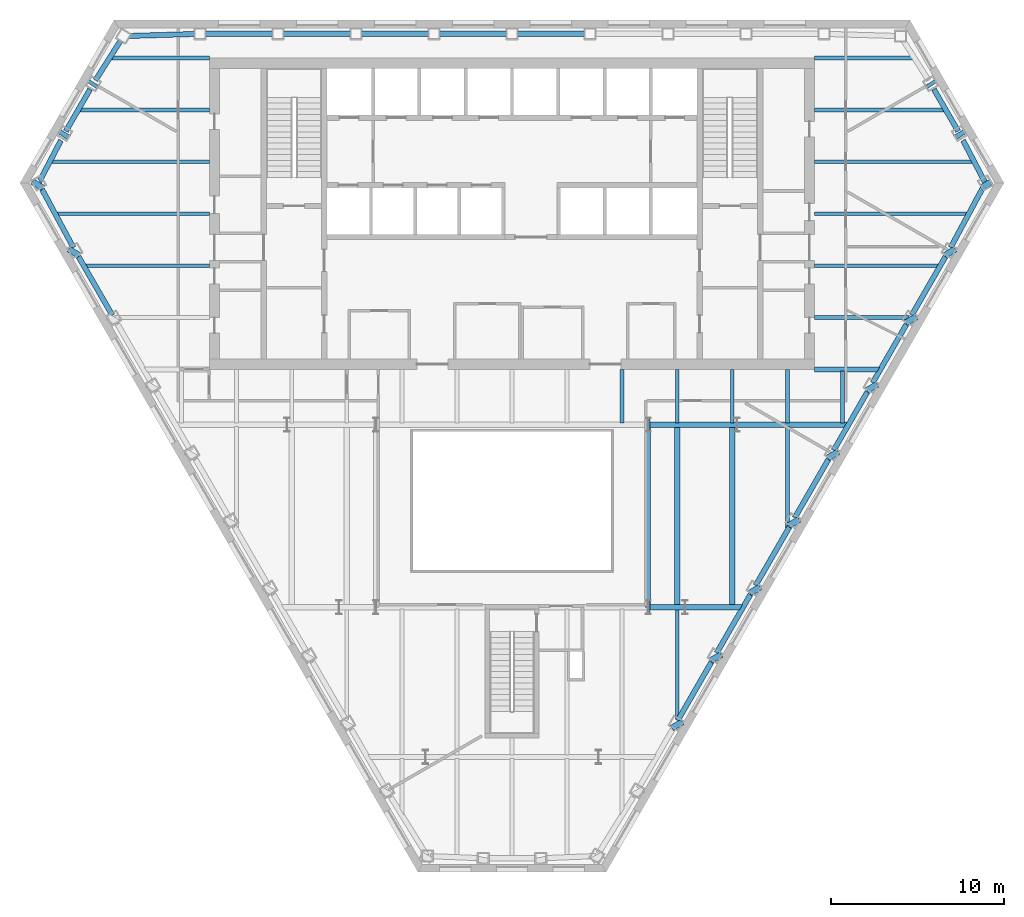
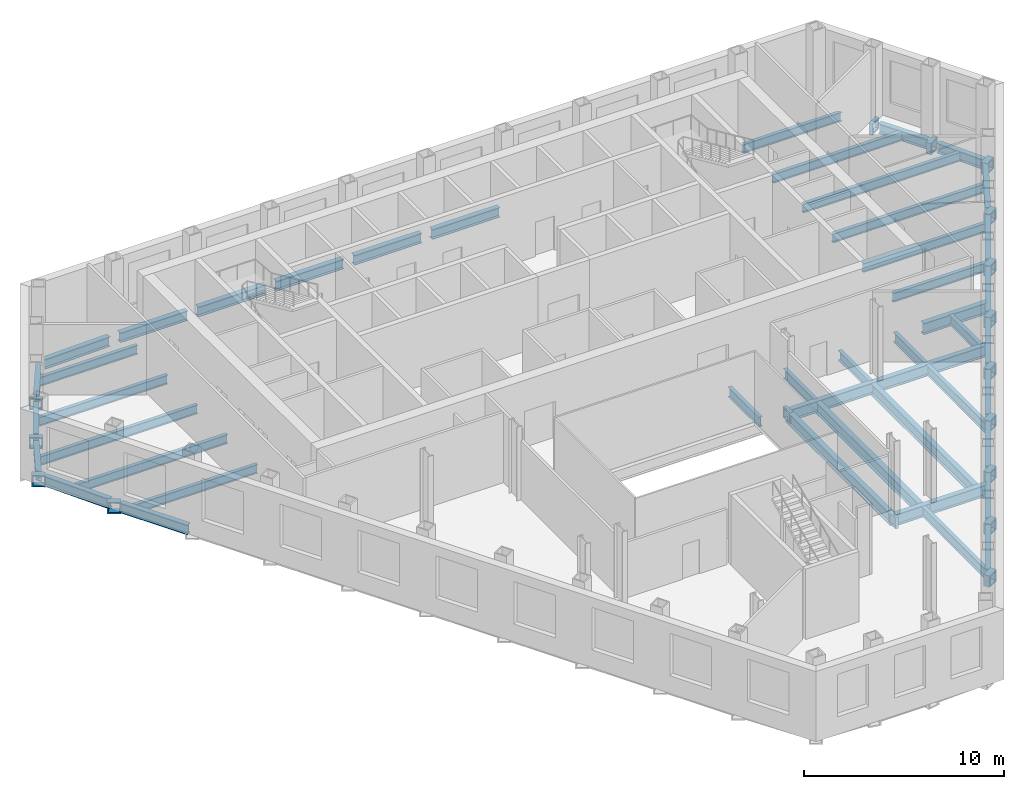
# One storey, part 3 of 11: 64 beams.
"""IFC4 building model written with IfcOpenShell, lengths in metres."""

from ifc_helpers import new_model, si_unit, direction, frame, origin, origin_2d, place, context, subcontext, project, spatial, hollow_rectangle, i_section, extrude, clip, halfspace, material, material_profile, profile_set, type_object, element, save


model = new_model("IFC4")

# Units and contexts
model_context = context("Model", 3, precision=1e-05, world=origin(), true_north=direction((0.0, 1.0)))
body_context = subcontext(model_context, "Body", "Model", "MODEL_VIEW")
ifc_project = project(units=[si_unit("LENGTHUNIT", "METRE"), si_unit("AREAUNIT", "SQUARE_METRE"), si_unit("VOLUMEUNIT", "CUBIC_METRE"), si_unit("PLANEANGLEUNIT", "RADIAN"), si_unit("MASSUNIT", "GRAM", prefix="KILO")], contexts=[model_context])

# Site, building, storey
site_placement = place(None, origin())
site = spatial("IfcSite", under=ifc_project, at=site_placement, CompositionType="ELEMENT")
building_placement = place(site_placement, origin())
building = spatial("IfcBuilding", under=site, at=building_placement, Name="Njiva Tower", CompositionType="ELEMENT")
storey_placement = place(building_placement, frame((0.0, 0.0, 69.3)))
storey = spatial("IfcBuildingStorey", under=building, at=storey_placement, Name="L14", CompositionType="ELEMENT", Elevation=69.3)

# Beams
ifc_material = material(Name="Steel S355 J2", Category="steel")
ifc_material_profile_1 = material_profile(ifc_material, i_section(OverallWidth=0.21, OverallDepth=0.55, WebThickness=0.0111, FlangeThickness=0.0172, at=origin_2d()), Name="IPE 550")
ifc_profile_set_1 = profile_set([ifc_material_profile_1], Name="Steel S355 J2")
beam_type_1 = type_object("IfcBeamType", Name="B10 Floor beam to the core IPE 550", PredefinedType="BEAM", material=ifc_profile_set_1)
beam_1_placement = place(storey_placement, frame((17.5, 3.0, -0.475), z_axis=(1.0, 0.0, 0.0), x_axis=(0.0, 1.0, 0.0)))
element("IfcBeam", 1, at=beam_1_placement, inside=storey, type_object=beam_type_1, Name="Floor beam to the core S05-B009", PredefinedType="BEAM", context=body_context, shape_type="Clipping", body=[
    clip(extrude(i_section(OverallWidth=0.21, OverallDepth=0.55, WebThickness=0.0111, FlangeThickness=0.0172, at=origin_2d()), origin(), (0.0, 0.0, 1.0), 5.496), halfspace(frame((-0.025, 0.0, 5.4005), z_axis=(-0.499998009787, 0.0, 0.866026552831), x_axis=(0.0, 1.0, 0.0)), False)),
])
beam_2_placement = place(storey_placement, frame((-24.723, 6.0, -0.475), z_axis=(1.0, 0.0, 0.0), x_axis=(0.0, 1.0, 0.0)))
element("IfcBeam", 2, at=beam_2_placement, inside=storey, type_object=beam_type_1, Name="Floor beam to the core S05-B004", PredefinedType="BEAM", context=body_context, shape_type="Clipping", body=[
    clip(extrude(i_section(OverallWidth=0.21, OverallDepth=0.55, WebThickness=0.0111, FlangeThickness=0.0172, at=origin_2d()), origin(), (0.0, 0.0, 1.0), 7.223), halfspace(frame((-0.025, 0.0, 0.095), z_axis=(-0.499998009787, 0.0, -0.866026552831), x_axis=(0.0, -1.0, 0.0)), False)),
])
beam_3_placement = place(storey_placement, frame((17.5, 6.0, -0.475), z_axis=(1.0, 0.0, 0.0), x_axis=(0.0, 1.0, 0.0)))
element("IfcBeam", 3, at=beam_3_placement, inside=storey, type_object=beam_type_1, Name="Floor beam to the core S05-B010", PredefinedType="BEAM", context=body_context, shape_type="Clipping", body=[
    clip(extrude(i_section(OverallWidth=0.21, OverallDepth=0.55, WebThickness=0.0111, FlangeThickness=0.0172, at=origin_2d()), origin(), (0.0, 0.0, 1.0), 7.223), halfspace(frame((-0.025, 0.0, 7.128), z_axis=(-0.499998009787, 0.0, 0.866026552831), x_axis=(0.0, 1.0, 0.0)), False)),
])
beam_4_placement = place(storey_placement, frame((-26.369, 9.0, -0.475), z_axis=(1.0, 0.0, 0.0), x_axis=(0.0, 1.0, 0.0)))
element("IfcBeam", 4, at=beam_4_placement, inside=storey, type_object=beam_type_1, Name="Floor beam to the core S05-B002", PredefinedType="BEAM", context=body_context, shape_type="Clipping", body=[
    clip(extrude(i_section(OverallWidth=0.21, OverallDepth=0.55, WebThickness=0.0111, FlangeThickness=0.0172, at=origin_2d()), origin(), (0.0, 0.0, 1.0), 8.869), halfspace(frame((-0.0237, 0.0, 0.0891), z_axis=(-0.473769423091, 0.0, -0.880648927634), x_axis=(0.0, -1.0, 0.0)), False)),
])
beam_5_placement = place(storey_placement, frame((17.5, 9.0, -0.475), z_axis=(1.0, 0.0, 0.0), x_axis=(0.0, 1.0, 0.0)))
element("IfcBeam", 5, at=beam_5_placement, inside=storey, type_object=beam_type_1, Name="Floor beam to the core S05-B011", PredefinedType="BEAM", context=body_context, shape_type="Clipping", body=[
    clip(extrude(i_section(OverallWidth=0.21, OverallDepth=0.55, WebThickness=0.0111, FlangeThickness=0.0172, at=origin_2d()), origin(), (0.0, 0.0, 1.0), 8.869), halfspace(frame((-0.0237, 0.0, 8.7799), z_axis=(-0.473769423091, 0.0, 0.880648927634), x_axis=(0.0, 1.0, 0.0)), False)),
])
beam_6_placement = place(storey_placement, frame((-26.684, 12.0, -0.475), z_axis=(1.0, 0.0, 0.0), x_axis=(0.0, 1.0, 0.0)))
element("IfcBeam", 6, at=beam_6_placement, inside=storey, type_object=beam_type_1, Name="Floor beam to the core S05-B001", PredefinedType="BEAM", context=body_context, shape_type="Clipping", body=[
    clip(extrude(i_section(OverallWidth=0.21, OverallDepth=0.55, WebThickness=0.0111, FlangeThickness=0.0172, at=origin_2d()), origin(), (0.0, 0.0, 1.0), 9.184), halfspace(frame((0.0232, 0.0, 0.0869), z_axis=(0.464049591961, 0.0, -0.885809221108), x_axis=(0.0, -1.0, 0.0)), False)),
])
beam_7_placement = place(storey_placement, frame((17.5, 12.0, -0.475), z_axis=(1.0, 0.0, 0.0), x_axis=(0.0, 1.0, 0.0)))
element("IfcBeam", 7, at=beam_7_placement, inside=storey, type_object=beam_type_1, Name="Floor beam to the core S05-B012", PredefinedType="BEAM", context=body_context, shape_type="Clipping", body=[
    clip(extrude(i_section(OverallWidth=0.21, OverallDepth=0.55, WebThickness=0.0111, FlangeThickness=0.0172, at=origin_2d()), origin(), (0.0, 0.0, 1.0), 9.184), halfspace(frame((0.0232, 0.0, 9.0971), z_axis=(0.464049591961, 0.0, 0.885809221108), x_axis=(0.0, 1.0, 0.0)), False)),
])
beam_8_placement = place(storey_placement, frame((-25.044, 15.0, -0.475), z_axis=(1.0, 0.0, 0.0), x_axis=(0.0, 1.0, 0.0)))
element("IfcBeam", 8, at=beam_8_placement, inside=storey, type_object=beam_type_1, Name="Floor beam to the core S05-B003", PredefinedType="BEAM", context=body_context, shape_type="Clipping", body=[
    clip(extrude(i_section(OverallWidth=0.21, OverallDepth=0.55, WebThickness=0.0111, FlangeThickness=0.0172, at=origin_2d()), origin(), (0.0, 0.0, 1.0), 7.544), halfspace(frame((0.025, 0.0, 0.0954), z_axis=(0.499998009787, 0.0, -0.866026552831), x_axis=(0.0, -1.0, 0.0)), False)),
])
beam_9_placement = place(storey_placement, frame((17.5, 15.0, -0.475), z_axis=(1.0, 0.0, 0.0), x_axis=(0.0, 1.0, 0.0)))
element("IfcBeam", 9, at=beam_9_placement, inside=storey, type_object=beam_type_1, Name="Floor beam to the core S05-B013", PredefinedType="BEAM", context=body_context, shape_type="Clipping", body=[
    clip(extrude(i_section(OverallWidth=0.21, OverallDepth=0.55, WebThickness=0.0111, FlangeThickness=0.0172, at=origin_2d()), origin(), (0.0, 0.0, 1.0), 7.544), halfspace(frame((0.025, 0.0, 7.4486), z_axis=(0.499998009787, 0.0, 0.866026552831), x_axis=(0.0, 1.0, 0.0)), False)),
])
beam_10_placement = place(storey_placement, frame((-23.232, 18.0, -0.475), z_axis=(1.0, 0.0, 0.0), x_axis=(0.0, 1.0, 0.0)))
element("IfcBeam", 10, at=beam_10_placement, inside=storey, type_object=beam_type_1, Name="Floor beam to the core S05-B005", PredefinedType="BEAM", context=body_context, shape_type="Clipping", body=[
    clip(extrude(i_section(OverallWidth=0.21, OverallDepth=0.55, WebThickness=0.0111, FlangeThickness=0.0172, at=origin_2d()), origin(), (0.0, 0.0, 1.0), 5.732), halfspace(frame((0.0268, 0.0, 0.1036), z_axis=(0.535111080792, 0.0, -0.84478170625), x_axis=(0.0, -1.0, 0.0)), False)),
])
beam_11_placement = place(storey_placement, frame((17.5, 18.0, -0.475), z_axis=(1.0, 0.0, 0.0), x_axis=(0.0, 1.0, 0.0)))
element("IfcBeam", 11, at=beam_11_placement, inside=storey, type_object=beam_type_1, Name="Floor beam to the core S05-B014", PredefinedType="BEAM", context=body_context, shape_type="Clipping", body=[
    clip(extrude(i_section(OverallWidth=0.21, OverallDepth=0.55, WebThickness=0.0111, FlangeThickness=0.0172, at=origin_2d()), origin(), (0.0, 0.0, 1.0), 5.732), halfspace(frame((0.0268, 0.0, 5.6284), z_axis=(0.535111080792, 0.0, 0.84478170625), x_axis=(0.0, 1.0, 0.0)), False)),
])
ifc_material_profile_2 = material_profile(ifc_material, i_section(OverallWidth=0.3, OverallDepth=0.69, WebThickness=0.0145, FlangeThickness=0.027, at=origin_2d()), Name="HEA 700")
ifc_profile_set_2 = profile_set([ifc_material_profile_2], Name="Steel S355 J2")
beam_type_2 = type_object("IfcBeamType", Name="B12 Long-span floor joist HEA 700", PredefinedType="JOIST", material=ifc_profile_set_2)
for number, where, z_axis, x_axis, name in (
    (12, (9.55, -3.3, -0.545), (0.0, -1.0, 0.0), (1.0, 0.0, 0.0), "Long-span floor joist S05-B086"),
    (13, (12.733, -3.3, -0.545), (0.0, -1.0, 0.0), (1.0, 0.0, 0.0), "Long-span floor joist S05-B088"),
):
    element("IfcBeam", number, at=place(storey_placement, frame(where, z_axis=z_axis, x_axis=x_axis)), inside=storey, type_object=beam_type_2, Name=name, PredefinedType="JOIST", context=body_context, shape_type="SweptSolid", body=[
        extrude(i_section(OverallWidth=0.3, OverallDepth=0.69, WebThickness=0.0145, FlangeThickness=0.027, at=origin_2d()), origin(), (0.0, 0.0, 1.0), 10.35),
    ])
ifc_material_profile_3 = material_profile(ifc_material, i_section(OverallWidth=0.22, OverallDepth=0.6, WebThickness=0.012, FlangeThickness=0.019, at=origin_2d()), Name="IPE 600")
ifc_profile_set_3 = profile_set([ifc_material_profile_3], Name="Steel S355 J2")
beam_type_3 = type_object("IfcBeamType", Name="B13 Floor joist IPE 600", PredefinedType="JOIST", material=ifc_profile_set_3)
beam_12_placement = place(storey_placement, frame((9.55, -13.85, -0.5), z_axis=(0.0, -1.0, 0.0), x_axis=(1.0, 0.0, 0.0)))
element("IfcBeam", 14, at=beam_12_placement, inside=storey, type_object=beam_type_3, Name="Floor joist S05-B084", PredefinedType="JOIST", context=body_context, shape_type="Clipping", body=[
    clip(extrude(i_section(OverallWidth=0.22, OverallDepth=0.6, WebThickness=0.012, FlangeThickness=0.019, at=origin_2d()), origin(), (0.0, 0.0, 1.0), 6.516), halfspace(frame((-0.025, 0.0, 6.4171), z_axis=(-0.499998009787, 0.0, 0.866026552831), x_axis=(0.0, 1.0, 0.0)), False)),
])
beam_13_placement = place(storey_placement, frame((15.917, -3.3, -0.5), z_axis=(0.0, -1.0, 0.0), x_axis=(1.0, 0.0, 0.0)))
element("IfcBeam", 15, at=beam_13_placement, inside=storey, type_object=beam_type_3, Name="Floor joist S05-B090", PredefinedType="JOIST", context=body_context, shape_type="Clipping", body=[
    clip(extrude(i_section(OverallWidth=0.22, OverallDepth=0.6, WebThickness=0.012, FlangeThickness=0.019, at=origin_2d()), origin(), (0.0, 0.0, 1.0), 6.024), halfspace(frame((0.043, 0.0, 5.7384), z_axis=(0.866026552831, 0.0, 0.499998009787), x_axis=(0.0, 1.0, 0.0)), False)),
])
ifc_material_profile_4 = material_profile(ifc_material, i_section(OverallWidth=0.22, OverallDepth=0.6, WebThickness=0.012, FlangeThickness=0.019, at=origin_2d()), Name="IPE 600")
ifc_profile_set_4 = profile_set([ifc_material_profile_4], Name="Steel S355 J2")
beam_type_4 = type_object("IfcBeamType", Name="B14 Short-span floor joist IPE 600", PredefinedType="JOIST", material=ifc_profile_set_4)
beam_14_placement = place(storey_placement, frame((6.367, -0.005, -0.5), z_axis=(0.0, -1.0, 0.0), x_axis=(1.0, 0.0, 0.0)))
element("IfcBeam", 16, at=beam_14_placement, inside=storey, type_object=beam_type_4, Name="Short-span floor joist S05-B083", PredefinedType="JOIST", context=body_context, shape_type="SweptSolid", body=[
    extrude(i_section(OverallWidth=0.22, OverallDepth=0.6, WebThickness=0.012, FlangeThickness=0.019, at=origin_2d()), origin(), (0.0, 0.0, 1.0), 3.094),
])
for number, where, z_axis, x_axis, name in (
    (17, (9.55, -0.005, -0.5), (0.0, -1.0, 0.0), (1.0, 0.0, 0.0), "Short-span floor joist S05-B087"),
    (18, (12.733, -0.005, -0.5), (0.0, -1.0, 0.0), (1.0, 0.0, 0.0), "Short-span floor joist S05-B089"),
    (19, (15.917, -0.005, -0.5), (0.0, -1.0, 0.0), (1.0, 0.0, 0.0), "Short-span floor joist S05-B091"),
):
    element("IfcBeam", number, at=place(storey_placement, frame(where, z_axis=z_axis, x_axis=x_axis)), inside=storey, type_object=beam_type_4, Name=name, PredefinedType="JOIST", context=body_context, shape_type="SweptSolid", body=[
        extrude(i_section(OverallWidth=0.22, OverallDepth=0.6, WebThickness=0.012, FlangeThickness=0.019, at=origin_2d()), origin(), (0.0, 0.0, 1.0), 3.095),
    ])
beam_15_placement = place(storey_placement, frame((19.1, -0.1, -0.5), z_axis=(0.0, -1.0, 0.0), x_axis=(1.0, 0.0, 0.0)))
element("IfcBeam", 20, at=beam_15_placement, inside=storey, type_object=beam_type_4, Name="Short-span floor joist S05-B092", PredefinedType="JOIST", context=body_context, shape_type="SweptSolid", body=[
    extrude(i_section(OverallWidth=0.22, OverallDepth=0.6, WebThickness=0.012, FlangeThickness=0.019, at=origin_2d()), origin(), (0.0, 0.0, 1.0), 3.0),
])
ifc_material_profile_5 = material_profile(ifc_material, i_section(OverallWidth=0.3, OverallDepth=0.69, WebThickness=0.0145, FlangeThickness=0.027, at=origin_2d()), Name="HEA 700")
ifc_profile_set_5 = profile_set([ifc_material_profile_5], Name="Steel S355 J2")
beam_type_5 = type_object("IfcBeamType", Name="B15 Floor girder HEA 700", PredefinedType="BEAM", material=ifc_profile_set_5)
beam_16_placement = place(storey_placement, frame((7.87, -3.2, -0.545), z_axis=(1.0, 0.0, 0.0), x_axis=(0.0, 1.0, 0.0)))
element("IfcBeam", 21, at=beam_16_placement, inside=storey, type_object=beam_type_5, Name="Floor girder S05-B024", PredefinedType="BEAM", context=body_context, shape_type="SweptSolid", body=[
    extrude(i_section(OverallWidth=0.3, OverallDepth=0.69, WebThickness=0.0145, FlangeThickness=0.027, at=origin_2d()), origin(), (0.0, 0.0, 1.0), 5.13),
])
beam_17_placement = place(storey_placement, frame((13.0, -3.2, -0.545), z_axis=(1.0, 0.0, 0.0), x_axis=(0.0, 1.0, 0.0)))
element("IfcBeam", 22, at=beam_17_placement, inside=storey, type_object=beam_type_5, Name="Floor girder S05-B026", PredefinedType="BEAM", context=body_context, shape_type="Clipping", body=[
    clip(extrude(i_section(OverallWidth=0.3, OverallDepth=0.69, WebThickness=0.0145, FlangeThickness=0.027, at=origin_2d()), origin(), (0.0, 0.0, 1.0), 6.438), halfspace(frame((-0.025, 0.0, 6.3163), z_axis=(-0.499998009787, 0.0, 0.866026552831), x_axis=(0.0, 1.0, 0.0)), False)),
])
ifc_material_profile_6 = material_profile(ifc_material, i_section(OverallWidth=0.3, OverallDepth=0.69, WebThickness=0.0145, FlangeThickness=0.027, at=origin_2d()), Name="HEA 700")
ifc_profile_set_6 = profile_set([ifc_material_profile_6], Name="Steel S355 J2")
beam_type_6 = type_object("IfcBeamType", Name="B16 Short-span floor girder HEA 700", PredefinedType="BEAM", material=ifc_profile_set_6)
beam_18_placement = place(storey_placement, frame((7.87, -13.75, -0.545), z_axis=(1.0, 0.0, 0.0), x_axis=(0.0, 1.0, 0.0)))
element("IfcBeam", 23, at=beam_18_placement, inside=storey, type_object=beam_type_6, Name="Short-span floor girder S05-B023", PredefinedType="BEAM", context=body_context, shape_type="SweptSolid", body=[
    extrude(i_section(OverallWidth=0.3, OverallDepth=0.69, WebThickness=0.0145, FlangeThickness=0.027, at=origin_2d()), origin(), (0.0, 0.0, 1.0), 2.13),
])
beam_19_placement = place(storey_placement, frame((10.0, -13.75, -0.545), z_axis=(1.0, 0.0, 0.0), x_axis=(0.0, 1.0, 0.0)))
element("IfcBeam", 24, at=beam_19_placement, inside=storey, type_object=beam_type_6, Name="Short-span floor girder S05-B025", PredefinedType="BEAM", context=body_context, shape_type="Clipping", body=[
    clip(extrude(i_section(OverallWidth=0.3, OverallDepth=0.69, WebThickness=0.0145, FlangeThickness=0.027, at=origin_2d()), origin(), (0.0, 0.0, 1.0), 3.347), halfspace(frame((-0.025, 0.0, 3.2253), z_axis=(-0.499998009787, 0.0, 0.866026552831), x_axis=(0.0, 1.0, 0.0)), False)),
])
beam_20_placement = place(storey_placement, frame((17.5, 0.0, -0.545), z_axis=(1.0, 0.0, 0.0), x_axis=(0.0, 1.0, 0.0)))
element("IfcBeam", 25, at=beam_20_placement, inside=storey, type_object=beam_type_6, Name="Short-span floor girder S05-B027", PredefinedType="BEAM", context=body_context, shape_type="Clipping", body=[
    clip(extrude(i_section(OverallWidth=0.3, OverallDepth=0.69, WebThickness=0.0145, FlangeThickness=0.027, at=origin_2d()), origin(), (0.0, 0.0, 1.0), 3.785), halfspace(frame((-0.025, 0.0, 3.6639), z_axis=(-0.499998009787, 0.0, 0.866026552831), x_axis=(0.0, 1.0, 0.0)), False)),
])
ifc_material_profile_7 = material_profile(ifc_material, i_section(OverallWidth=0.3, OverallDepth=0.69, WebThickness=0.0145, FlangeThickness=0.027, at=origin_2d()), Name="HEA 700")
ifc_profile_set_7 = profile_set([ifc_material_profile_7], Name="Steel S355 J2")
beam_type_7 = type_object("IfcBeamType", Name="B18 Long-span atrium trimmer beam HEA 700", PredefinedType="BEAM", material=ifc_profile_set_7)
beam_21_placement = place(storey_placement, frame((7.87, -13.75, -0.545), z_axis=(0.0, 1.0, 0.0), x_axis=(-1.0, 0.0, 0.0)))
element("IfcBeam", 26, at=beam_21_placement, inside=storey, type_object=beam_type_7, Name="Long-span atrium trimmer beam S05-B097", PredefinedType="BEAM", context=body_context, shape_type="SweptSolid", body=[
    extrude(i_section(OverallWidth=0.3, OverallDepth=0.69, WebThickness=0.0145, FlangeThickness=0.027, at=origin_2d()), origin(), (0.0, 0.0, 1.0), 10.55),
])
ifc_material_profile_8 = material_profile(ifc_material, hollow_rectangle(XDim=0.7, YDim=0.7, WallThickness=0.08, at=origin_2d()), Name="BOX 700x700x80")
ifc_profile_set_8 = profile_set([ifc_material_profile_8], Name="Steel S355 J2")
beam_type_8 = type_object("IfcBeamType", Name="B19 Column jog beam BOX 700x700x80", PredefinedType="BEAM", material=ifc_profile_set_8)
beam_22_placement = place(storey_placement, frame((-24.274, 16.409, -0.55), z_axis=(0.550075640601, 0.835114836186, 0.0), x_axis=(-0.835114836186, 0.550075640601, 0.0)))
element("IfcBeam", 27, at=beam_22_placement, inside=storey, type_object=beam_type_8, Name="Column jog beam S05-B031", PredefinedType="BEAM", context=body_context, shape_type="SweptSolid", body=[
    extrude(hollow_rectangle(XDim=0.7, YDim=0.7, WallThickness=0.08, at=origin_2d()), origin(), (0.0, 0.0, 1.0), 0.2),
])
beam_23_placement = place(storey_placement, frame((-25.97, 13.468, -0.55), z_axis=(0.522476973874, 0.852653394863, 0.0), x_axis=(-0.852653394863, 0.522476973874, 0.0)))
element("IfcBeam", 28, at=beam_23_placement, inside=storey, type_object=beam_type_8, Name="Column jog beam S05-B029", PredefinedType="BEAM", context=body_context, shape_type="SweptSolid", body=[
    extrude(hollow_rectangle(XDim=0.7, YDim=0.7, WallThickness=0.08, at=origin_2d()), origin(), (0.0, 0.0, 1.0), 0.2756),
])
for number, where, z_axis, x_axis, name in (
    (29, (-27.514, 10.527, -0.55), (0.516163052747, 0.856490340272, 0.0), (-0.856490340272, 0.516163052747, 0.0), "Column jog beam S05-B028"),
    (30, (-25.413, 6.623, -0.55), (0.516163052747, 0.856490340272, 0.0), (-0.856490340272, 0.516163052747, 0.0), "Column jog beam S05-B030"),
):
    element("IfcBeam", number, at=place(storey_placement, frame(where, z_axis=z_axis, x_axis=x_axis)), inside=storey, type_object=beam_type_8, Name=name, PredefinedType="BEAM", context=body_context, shape_type="SweptSolid", body=[
        extrude(hollow_rectangle(XDim=0.7, YDim=0.7, WallThickness=0.08, at=origin_2d()), origin(), (0.0, 0.0, 1.0), 0.3526),
    ])
for number, where, z_axis, x_axis, name in (
    (31, (9.631, -20.71, -0.55), (-0.489459706802, 0.872025914418, 0.0), (-0.872025914418, -0.489459706802, 0.0), "Column jog beam S05-B049"),
    (32, (11.885, -16.806, -0.55), (-0.489459706802, 0.872025914418, 0.0), (-0.872025914418, -0.489459706802, 0.0), "Column jog beam S05-B050"),
):
    element("IfcBeam", number, at=place(storey_placement, frame(where, z_axis=z_axis, x_axis=x_axis)), inside=storey, type_object=beam_type_8, Name=name, PredefinedType="BEAM", context=body_context, shape_type="SweptSolid", body=[
        extrude(hollow_rectangle(XDim=0.7, YDim=0.7, WallThickness=0.08, at=origin_2d()), origin(), (0.0, 0.0, 1.0), 0.3555),
    ])
beam_24_placement = place(storey_placement, frame((14.14, -12.901, -0.55), z_axis=(-0.498259552762, 0.86702792232, 0.0), x_axis=(-0.86702792232, -0.498259552762, 0.0)))
element("IfcBeam", 33, at=beam_24_placement, inside=storey, type_object=beam_type_8, Name="Column jog beam S05-B051", PredefinedType="BEAM", context=body_context, shape_type="SweptSolid", body=[
    extrude(hollow_rectangle(XDim=0.7, YDim=0.7, WallThickness=0.08, at=origin_2d()), origin(), (0.0, 0.0, 1.0), 0.3552),
])
for number, where, z_axis, x_axis, name in (
    (34, (16.395, -8.996, -0.55), (-0.501591568535, 0.865104559215, 0.0), (-0.865104559215, -0.501591568535, 0.0), "Column jog beam S05-B052"),
    (35, (18.649, -5.092, -0.55), (-0.501591568535, 0.865104559215, 0.0), (-0.865104559215, -0.501591568535, 0.0), "Column jog beam S05-B053"),
):
    element("IfcBeam", number, at=place(storey_placement, frame(where, z_axis=z_axis, x_axis=x_axis)), inside=storey, type_object=beam_type_8, Name=name, PredefinedType="BEAM", context=body_context, shape_type="SweptSolid", body=[
        extrude(hollow_rectangle(XDim=0.7, YDim=0.7, WallThickness=0.08, at=origin_2d()), origin(), (0.0, 0.0, 1.0), 0.3549),
    ])
beam_25_placement = place(storey_placement, frame((20.903, -1.187, -0.55), z_axis=(-0.504047080871, 0.863676177896, 0.0), x_axis=(-0.863676177896, -0.504047080871, 0.0)))
element("IfcBeam", 36, at=beam_25_placement, inside=storey, type_object=beam_type_8, Name="Column jog beam S05-B054", PredefinedType="BEAM", context=body_context, shape_type="SweptSolid", body=[
    extrude(hollow_rectangle(XDim=0.7, YDim=0.7, WallThickness=0.08, at=origin_2d()), origin(), (0.0, 0.0, 1.0), 0.3531),
])
beam_26_placement = place(storey_placement, frame((23.159, 2.717, -0.55), z_axis=(-0.510343304635, 0.859970761953, 0.0), x_axis=(-0.859970761953, -0.510343304635, 0.0)))
element("IfcBeam", 37, at=beam_26_placement, inside=storey, type_object=beam_type_8, Name="Column jog beam S05-B055", PredefinedType="BEAM", context=body_context, shape_type="SweptSolid", body=[
    extrude(hollow_rectangle(XDim=0.7, YDim=0.7, WallThickness=0.08, at=origin_2d()), origin(), (0.0, 0.0, 1.0), 0.3547),
])
for number, where, z_axis, x_axis, name in (
    (38, (25.413, 6.623, -0.55), (-0.516163052747, 0.856490340272, 0.0), (-0.856490340272, -0.516163052747, 0.0), "Column jog beam S05-B057"),
    (39, (27.514, 10.527, -0.55), (-0.516163052747, 0.856490340272, 0.0), (-0.856490340272, -0.516163052747, 0.0), "Column jog beam S05-B059"),
):
    element("IfcBeam", number, at=place(storey_placement, frame(where, z_axis=z_axis, x_axis=x_axis)), inside=storey, type_object=beam_type_8, Name=name, PredefinedType="BEAM", context=body_context, shape_type="SweptSolid", body=[
        extrude(hollow_rectangle(XDim=0.7, YDim=0.7, WallThickness=0.08, at=origin_2d()), origin(), (0.0, 0.0, 1.0), 0.3526),
    ])
beam_27_placement = place(storey_placement, frame((25.97, 13.468, -0.55), z_axis=(-0.522476973874, 0.852653394863, 0.0), x_axis=(-0.852653394863, -0.522476973874, 0.0)))
element("IfcBeam", 40, at=beam_27_placement, inside=storey, type_object=beam_type_8, Name="Column jog beam S05-B058", PredefinedType="BEAM", context=body_context, shape_type="SweptSolid", body=[
    extrude(hollow_rectangle(XDim=0.7, YDim=0.7, WallThickness=0.08, at=origin_2d()), origin(), (0.0, 0.0, 1.0), 0.2756),
])
beam_28_placement = place(storey_placement, frame((24.274, 16.409, -0.55), z_axis=(-0.550075640601, 0.835114836186, 0.0), x_axis=(-0.835114836186, -0.550075640601, 0.0)))
element("IfcBeam", 41, at=beam_28_placement, inside=storey, type_object=beam_type_8, Name="Column jog beam S05-B056", PredefinedType="BEAM", context=body_context, shape_type="SweptSolid", body=[
    extrude(hollow_rectangle(XDim=0.7, YDim=0.7, WallThickness=0.08, at=origin_2d()), origin(), (0.0, 0.0, 1.0), 0.2),
])
for number, where, z_axis, x_axis, name in (
    (42, (7.99, -3.2, -0.55), (-1.0, 0.0, 0.0), (0.0, -1.0, 0.0), "Column jog beam S05-B048"),
    (43, (7.99, -13.75, -0.55), (-1.0, 0.0, 0.0), (0.0, -1.0, 0.0), "Column jog beam S05-B047"),
):
    element("IfcBeam", number, at=place(storey_placement, frame(where, z_axis=z_axis, x_axis=x_axis)), inside=storey, type_object=beam_type_8, Name=name, PredefinedType="BEAM", context=body_context, shape_type="SweptSolid", body=[
        extrude(hollow_rectangle(XDim=0.7, YDim=0.7, WallThickness=0.08, at=origin_2d()), origin(), (0.0, 0.0, 1.0), 0.18),
    ])
ifc_material_profile_9 = material_profile(ifc_material, i_section(OverallWidth=0.3, OverallDepth=0.6, WebThickness=0.0155, FlangeThickness=0.03, at=origin_2d()), Name="HEB 600")
ifc_profile_set_9 = profile_set([ifc_material_profile_9], Name="Steel S355 J2")
beam_type_9 = type_object("IfcBeamType", Name="B3 Short-span spandrel beam HEB 600", PredefinedType="SPANDREL", material=ifc_profile_set_9)
for number, where, z_axis, x_axis, name in (
    (44, (4.209, 19.4, -0.5), (-1.0, 0.0, 0.0), (0.0, -1.0, 0.0), "Short-span spandrel beam S05-B137"),
    (45, (-0.3, 19.4, -0.5), (-1.0, 0.0, 0.0), (0.0, -1.0, 0.0), "Short-span spandrel beam S05-B134"),
):
    element("IfcBeam", number, at=place(storey_placement, frame(where, z_axis=z_axis, x_axis=x_axis)), inside=storey, type_object=beam_type_9, Name=name, PredefinedType="SPANDREL", context=body_context, shape_type="SweptSolid", body=[
        extrude(i_section(OverallWidth=0.3, OverallDepth=0.6, WebThickness=0.0155, FlangeThickness=0.03, at=origin_2d()), origin(), (0.0, 0.0, 1.0), 3.909),
    ])
beam_29_placement = place(storey_placement, frame((-4.809, 19.4, -0.5), z_axis=(-1.0, 0.0, 0.0), x_axis=(0.0, -1.0, 0.0)))
element("IfcBeam", 46, at=beam_29_placement, inside=storey, type_object=beam_type_9, Name="Short-span spandrel beam S05-B129", PredefinedType="SPANDREL", context=body_context, shape_type="SweptSolid", body=[
    extrude(i_section(OverallWidth=0.3, OverallDepth=0.6, WebThickness=0.0155, FlangeThickness=0.03, at=origin_2d()), origin(), (0.0, 0.0, 1.0), 3.908),
])
beam_30_placement = place(storey_placement, frame((-9.317, 19.4, -0.5), z_axis=(-1.0, 0.0, 0.0), x_axis=(0.0, -1.0, 0.0)))
element("IfcBeam", 47, at=beam_30_placement, inside=storey, type_object=beam_type_9, Name="Short-span spandrel beam S05-B123", PredefinedType="SPANDREL", context=body_context, shape_type="SweptSolid", body=[
    extrude(i_section(OverallWidth=0.3, OverallDepth=0.6, WebThickness=0.0155, FlangeThickness=0.03, at=origin_2d()), origin(), (0.0, 0.0, 1.0), 3.909),
])
beam_31_placement = place(storey_placement, frame((-13.826, 19.4, -0.5), z_axis=(-1.0, 0.0, 0.0), x_axis=(0.0, -1.0, 0.0)))
element("IfcBeam", 48, at=beam_31_placement, inside=storey, type_object=beam_type_9, Name="Short-span spandrel beam S05-B117", PredefinedType="SPANDREL", context=body_context, shape_type="SweptSolid", body=[
    extrude(i_section(OverallWidth=0.3, OverallDepth=0.6, WebThickness=0.0155, FlangeThickness=0.03, at=origin_2d()), origin(), (0.0, 0.0, 1.0), 3.908),
])
beam_32_placement = place(storey_placement, frame((-18.338, 19.391, -0.5), z_axis=(-0.999544572792, -0.03017692831, 0.0), x_axis=(0.03017692831, -0.999544572792, 0.0)))
element("IfcBeam", 49, at=beam_32_placement, inside=storey, type_object=beam_type_9, Name="Short-span spandrel beam S05-B111", PredefinedType="SPANDREL", context=body_context, shape_type="Clipping", body=[
    clip(extrude(i_section(OverallWidth=0.3, OverallDepth=0.6, WebThickness=0.0155, FlangeThickness=0.03, at=origin_2d()), origin(), (0.0, 0.0, 1.0), 3.8907), halfspace(frame((-0.0266, 0.0, 3.7611), z_axis=(-0.525904318289, 0.0, 0.85054373668), x_axis=(0.0, 1.0, 0.0)), False)),
])
beam_33_placement = place(storey_placement, frame((-22.626, 19.007, -0.5), z_axis=(-0.535227581808, -0.844707899615, 0.0), x_axis=(0.844707899615, -0.535227581808, 0.0)))
element("IfcBeam", 50, at=beam_33_placement, inside=storey, type_object=beam_type_9, Name="Short-span spandrel beam S05-B107", PredefinedType="SPANDREL", context=body_context, shape_type="SweptSolid", body=[
    extrude(i_section(OverallWidth=0.3, OverallDepth=0.6, WebThickness=0.0155, FlangeThickness=0.03, at=origin_2d()), origin(), (0.0, 0.0, 1.0), 2.711),
])
beam_34_placement = place(storey_placement, frame((-24.387, 16.197, -0.5), z_axis=(-0.500063042646, -0.865989003036, 0.0), x_axis=(0.865989003036, -0.500063042646, 0.0)))
element("IfcBeam", 51, at=beam_34_placement, inside=storey, type_object=beam_type_9, Name="Short-span spandrel beam S05-B103", PredefinedType="SPANDREL", context=body_context, shape_type="SweptSolid", body=[
    extrude(i_section(OverallWidth=0.3, OverallDepth=0.6, WebThickness=0.0155, FlangeThickness=0.03, at=origin_2d()), origin(), (0.0, 0.0, 1.0), 2.7956),
])
beam_35_placement = place(storey_placement, frame((-26.071, 13.243, -0.5), z_axis=(-0.464062975766, -0.885802209595, 0.0), x_axis=(0.885802209595, -0.464062975766, 0.0)))
element("IfcBeam", 52, at=beam_35_placement, inside=storey, type_object=beam_type_9, Name="Short-span spandrel beam S05-B099", PredefinedType="SPANDREL", context=body_context, shape_type="Clipping", body=[
    clip(extrude(i_section(OverallWidth=0.3, OverallDepth=0.6, WebThickness=0.0155, FlangeThickness=0.03, at=origin_2d()), origin(), (0.0, 0.0, 1.0), 2.7849), halfspace(frame((-0.0267, 0.0, 2.6527), z_axis=(-0.535097669767, 0.0, 0.844790201062), x_axis=(0.0, 1.0, 0.0)), False)),
])
beam_36_placement = place(storey_placement, frame((-27.165, 10.411, -0.5), z_axis=(0.473569839982, -0.880756269724, 0.0), x_axis=(0.880756269724, 0.473569839982, 0.0)))
element("IfcBeam", 53, at=beam_36_placement, inside=storey, type_object=beam_type_9, Name="Short-span spandrel beam S05-B102", PredefinedType="SPANDREL", context=body_context, shape_type="SweptSolid", body=[
    extrude(i_section(OverallWidth=0.3, OverallDepth=0.6, WebThickness=0.0155, FlangeThickness=0.03, at=origin_2d()), origin(), (0.0, 0.0, 1.0), 3.8263),
])
beam_37_placement = place(storey_placement, frame((-25.056, 6.516, -0.5), z_axis=(0.500128417272, -0.865951249342, 0.0), x_axis=(0.865951249342, 0.500128417272, 0.0)))
element("IfcBeam", 54, at=beam_37_placement, inside=storey, type_object=beam_type_9, Name="Short-span spandrel beam S05-B106", PredefinedType="SPANDREL", context=body_context, shape_type="SweptSolid", body=[
    extrude(i_section(OverallWidth=0.3, OverallDepth=0.6, WebThickness=0.0155, FlangeThickness=0.03, at=origin_2d()), origin(), (0.0, 0.0, 1.0), 3.909),
])
beam_38_placement = place(storey_placement, frame((9.576, -20.296, -0.5), z_axis=(0.500047346826, 0.865998066356, 0.0), x_axis=(-0.865998066356, 0.500047346826, 0.0)))
element("IfcBeam", 55, at=beam_38_placement, inside=storey, type_object=beam_type_9, Name="Short-span spandrel beam S05-B147", PredefinedType="SPANDREL", context=body_context, shape_type="SweptSolid", body=[
    extrude(i_section(OverallWidth=0.3, OverallDepth=0.6, WebThickness=0.0155, FlangeThickness=0.03, at=origin_2d()), origin(), (0.0, 0.0, 1.0), 3.9076),
])
beam_39_placement = place(storey_placement, frame((11.83, -16.392, -0.5), z_axis=(0.499936548189, 0.866062034606, 0.0), x_axis=(-0.866062034606, 0.499936548189, 0.0)))
element("IfcBeam", 56, at=beam_39_placement, inside=storey, type_object=beam_type_9, Name="Short-span spandrel beam S05-B149", PredefinedType="SPANDREL", context=body_context, shape_type="SweptSolid", body=[
    extrude(i_section(OverallWidth=0.3, OverallDepth=0.6, WebThickness=0.0155, FlangeThickness=0.03, at=origin_2d()), origin(), (0.0, 0.0, 1.0), 3.9085),
])
beam_40_placement = place(storey_placement, frame((14.084, -12.488, -0.5), z_axis=(0.500017645376, 0.866015215982, 0.0), x_axis=(-0.866015215982, 0.500017645376, 0.0)))
element("IfcBeam", 57, at=beam_40_placement, inside=storey, type_object=beam_type_9, Name="Short-span spandrel beam S05-B153", PredefinedType="SPANDREL", context=body_context, shape_type="SweptSolid", body=[
    extrude(i_section(OverallWidth=0.3, OverallDepth=0.6, WebThickness=0.0155, FlangeThickness=0.03, at=origin_2d()), origin(), (0.0, 0.0, 1.0), 3.9099),
])
beam_41_placement = place(storey_placement, frame((16.339, -8.582, -0.5), z_axis=(0.500047346826, 0.865998066356, 0.0), x_axis=(-0.865998066356, 0.500047346826, 0.0)))
element("IfcBeam", 58, at=beam_41_placement, inside=storey, type_object=beam_type_9, Name="Short-span spandrel beam S05-B155", PredefinedType="SPANDREL", context=body_context, shape_type="SweptSolid", body=[
    extrude(i_section(OverallWidth=0.3, OverallDepth=0.6, WebThickness=0.0155, FlangeThickness=0.03, at=origin_2d()), origin(), (0.0, 0.0, 1.0), 3.9076),
])
for number, where, z_axis, x_axis, name in (
    (59, (18.593, -4.678, -0.5), (0.499936548189, 0.866062034606, 0.0), (-0.866062034606, 0.499936548189, 0.0), "Short-span spandrel beam S05-B159"),
    (60, (20.847, -0.774, -0.5), (0.499936548189, 0.866062034606, 0.0), (-0.866062034606, 0.499936548189, 0.0), "Short-span spandrel beam S05-B161"),
):
    element("IfcBeam", number, at=place(storey_placement, frame(where, z_axis=z_axis, x_axis=x_axis)), inside=storey, type_object=beam_type_9, Name=name, PredefinedType="SPANDREL", context=body_context, shape_type="SweptSolid", body=[
        extrude(i_section(OverallWidth=0.3, OverallDepth=0.6, WebThickness=0.0155, FlangeThickness=0.03, at=origin_2d()), origin(), (0.0, 0.0, 1.0), 3.9085),
    ])
beam_42_placement = place(storey_placement, frame((23.101, 3.131, -0.5), z_axis=(0.500128417272, 0.865951249342, 0.0), x_axis=(-0.865951249342, 0.500128417272, 0.0)))
element("IfcBeam", 61, at=beam_42_placement, inside=storey, type_object=beam_type_9, Name="Short-span spandrel beam S05-B165", PredefinedType="SPANDREL", context=body_context, shape_type="SweptSolid", body=[
    extrude(i_section(OverallWidth=0.3, OverallDepth=0.6, WebThickness=0.0155, FlangeThickness=0.03, at=origin_2d()), origin(), (0.0, 0.0, 1.0), 3.909),
])
beam_43_placement = place(storey_placement, frame((25.353, 7.041, -0.5), z_axis=(0.473609901774, 0.880734727907, 0.0), x_axis=(-0.880734727907, 0.473609901774, 0.0)))
element("IfcBeam", 62, at=beam_43_placement, inside=storey, type_object=beam_type_9, Name="Short-span spandrel beam S05-B169", PredefinedType="SPANDREL", context=body_context, shape_type="Clipping", body=[
    clip(extrude(i_section(OverallWidth=0.3, OverallDepth=0.6, WebThickness=0.0155, FlangeThickness=0.03, at=origin_2d()), origin(), (0.0, 0.0, 1.0), 4.0086), halfspace(frame((-0.0264, 0.0, 3.879), z_axis=(-0.525935652066, 0.0, 0.850524361724), x_axis=(0.0, 1.0, 0.0)), False)),
])
beam_44_placement = place(storey_placement, frame((27.329, 10.842, -0.5), z_axis=(-0.464103489228, 0.885780983814, 0.0), x_axis=(-0.885780983814, -0.464103489228, 0.0)))
element("IfcBeam", 63, at=beam_44_placement, inside=storey, type_object=beam_type_9, Name="Short-span spandrel beam S05-B172", PredefinedType="SPANDREL", context=body_context, shape_type="SweptSolid", body=[
    extrude(i_section(OverallWidth=0.3, OverallDepth=0.6, WebThickness=0.0155, FlangeThickness=0.03, at=origin_2d()), origin(), (0.0, 0.0, 1.0), 2.7106),
])
beam_45_placement = place(storey_placement, frame((25.785, 13.776, -0.5), z_axis=(-0.500063042646, 0.865989003036, 0.0), x_axis=(-0.865989003036, -0.500063042646, 0.0)))
element("IfcBeam", 64, at=beam_45_placement, inside=storey, type_object=beam_type_9, Name="Short-span spandrel beam S05-B168", PredefinedType="SPANDREL", context=body_context, shape_type="SweptSolid", body=[
    extrude(i_section(OverallWidth=0.3, OverallDepth=0.6, WebThickness=0.0155, FlangeThickness=0.03, at=origin_2d()), origin(), (0.0, 0.0, 1.0), 2.7956),
])

save(model, "model.ifc")
